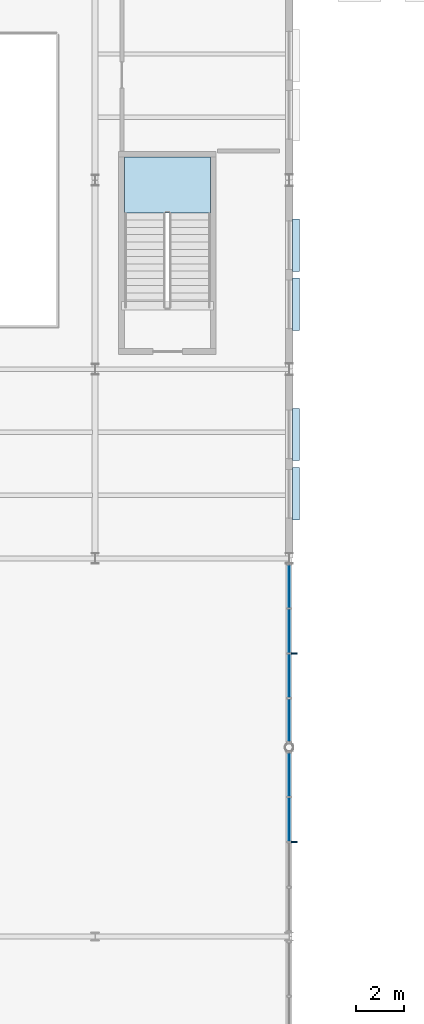
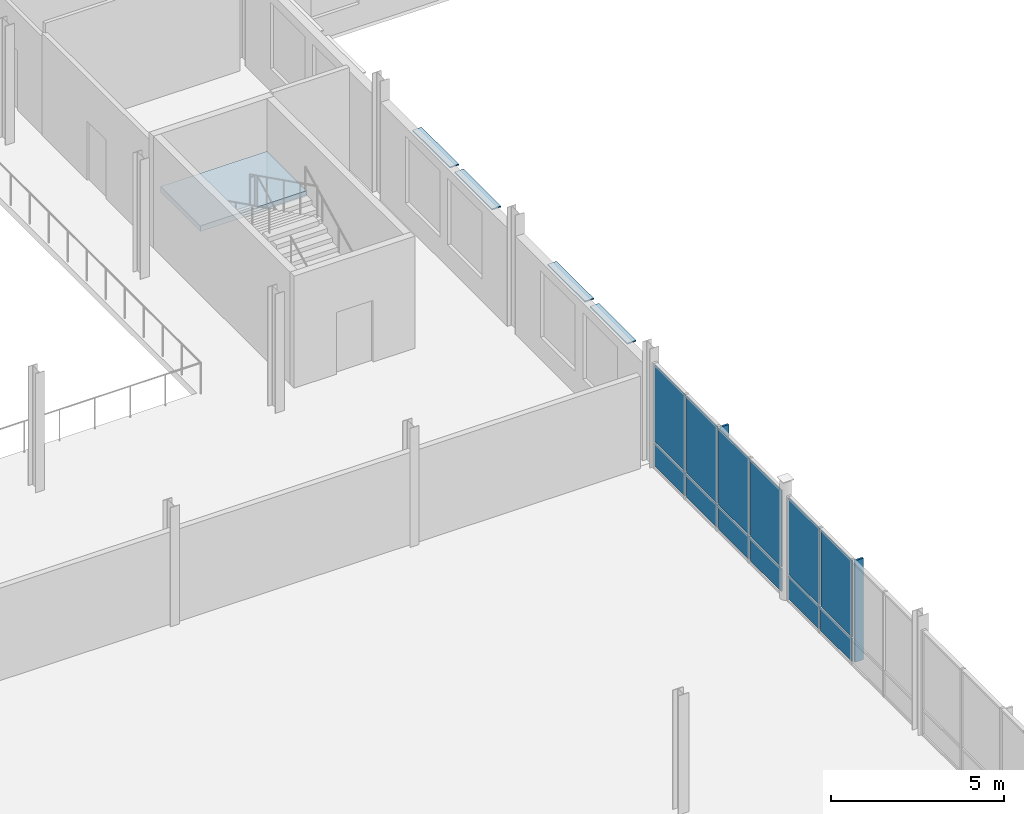
# One storey, part 48 of 75: 18 plates, 1 slab, 3 elements without a shape of their own.
"""IFC4 building model written with IfcOpenShell, lengths in metres."""

from ifc_helpers import new_model, si_unit, direction, frame, origin, origin_2d, place, context, subcontext, project, spatial, polyline, rectangle, outline, extrude, material, layer, layer_set, type_object, element, aggregate, save


model = new_model("IFC4")

# Units and contexts
model_context = context("Model", 3, precision=1e-05, world=origin(), true_north=direction((0.0, 1.0)))
body_context = subcontext(model_context, "Body", "Model", "MODEL_VIEW")
ifc_project = project(units=[si_unit("LENGTHUNIT", "METRE"), si_unit("AREAUNIT", "SQUARE_METRE"), si_unit("VOLUMEUNIT", "CUBIC_METRE"), si_unit("PLANEANGLEUNIT", "RADIAN"), si_unit("MASSUNIT", "GRAM", prefix="KILO")], contexts=[model_context])

# Site, building, storey
site_placement = place(None, origin())
site = spatial("IfcSite", under=ifc_project, at=site_placement, CompositionType="ELEMENT")
building_placement = place(site_placement, origin())
building = spatial("IfcBuilding", under=site, at=building_placement, Name="Yukiwa Park Conservatory and Herbarium", CompositionType="ELEMENT")
storey_placement = place(building_placement, frame((0.0, 0.0, 4.800048828125)))
storey = spatial("IfcBuildingStorey", under=building, at=storey_placement, Name="L01", CompositionType="ELEMENT", Elevation=4.800048828125)

# Curtain wall, plates
ifc_material_1 = material(Name="Triple Low-E Insulated Glass", Category="glass")
ifc_layer_1 = layer(ifc_material_1, 0.18798828125)
ifc_layer_set_1 = layer_set([ifc_layer_1], Name="Triple Low-E Insulated Glass")
curtain_wall_type = type_object("IfcCurtainWallType", Name="CW-CONCOURSE-2000", PredefinedType="NOTDEFINED", material=ifc_layer_set_1)
curtain_wall_1_placement = place(storey_placement, origin())
curtain_wall_1 = element("IfcCurtainWall", 1, at=curtain_wall_1_placement, inside=storey, type_object=curtain_wall_type, Name="L01 unitised curtain wall CW-L01-044", PredefinedType="NOTDEFINED")
ifc_material_2 = material(Name="Triple Low-E Insulated Glass", Category="glass")
ifc_layer_2 = layer(ifc_material_2, 0.035888671875)
ifc_layer_set_2 = layer_set([ifc_layer_2], Name="Triple Low-E Insulated Glass")
plate_type_1 = type_object("IfcPlateType", Name="PL-CW-GLZ-36", PredefinedType="CURTAIN_PANEL", material=ifc_layer_set_2)
plate_1_placement = place(storey_placement, frame((108.0, 36.029541015625, 0.93505859375), z_axis=(0.0, 0.0, 1.0), x_axis=(0.0, 1.0, 0.0)))
plate_1 = element("IfcPlate", 2, at=plate_1_placement, type_object=plate_type_1, Name="CW-L01-044 vision panel 3.2", PredefinedType="CURTAIN_PANEL", context=body_context, shape_type="SweptSolid", body=[
    extrude(rectangle(XDim=1.791748046875, YDim=0.035888671875, at=origin_2d()), origin(), (0.0, 0.0, 1.0), 2.695068359375),
])
plate_2_placement = place(storey_placement, frame((108.0, 37.891357421875, 0.93505859375), z_axis=(0.0, 0.0, 1.0), x_axis=(0.0, 1.0, 0.0)))
plate_2 = element("IfcPlate", 3, at=plate_2_placement, type_object=plate_type_1, Name="CW-L01-044 vision panel 4.2", PredefinedType="CURTAIN_PANEL", context=body_context, shape_type="SweptSolid", body=[
    extrude(rectangle(XDim=1.791748046875, YDim=0.035888671875, at=origin_2d()), origin(), (0.0, 0.0, 1.0), 2.695068359375),
])

curtain_wall_2_placement = place(storey_placement, origin())
curtain_wall_2 = element("IfcCurtainWall", 4, at=curtain_wall_2_placement, inside=storey, type_object=curtain_wall_type, Name="L01 unitised curtain wall CW-L01-045", PredefinedType="NOTDEFINED")
plate_3_placement = place(storey_placement, frame((108.0, 40.10302734375, 0.93505859375), z_axis=(0.0, 0.0, 1.0), x_axis=(0.0, 1.0, 0.0)))
plate_3 = element("IfcPlate", 5, at=plate_3_placement, type_object=plate_type_1, Name="CW-L01-045 vision panel 1.2", PredefinedType="CURTAIN_PANEL", context=body_context, shape_type="SweptSolid", body=[
    extrude(rectangle(XDim=1.780517578125, YDim=0.035888671875, at=origin_2d()), origin(), (0.0, 0.0, 1.0), 2.695068359375),
])
plate_4_placement = place(storey_placement, frame((108.0, 41.95361328125, 0.93505859375), z_axis=(0.0, 0.0, 1.0), x_axis=(0.0, 1.0, 0.0)))
plate_4 = element("IfcPlate", 6, at=plate_4_placement, type_object=plate_type_1, Name="CW-L01-045 vision panel 2.2", PredefinedType="CURTAIN_PANEL", context=body_context, shape_type="SweptSolid", body=[
    extrude(rectangle(XDim=1.780517578125, YDim=0.035888671875, at=origin_2d()), origin(), (0.0, 0.0, 1.0), 2.695068359375),
])
plate_5_placement = place(storey_placement, frame((108.0, 43.80419921875, 0.93505859375), z_axis=(0.0, 0.0, 1.0), x_axis=(0.0, 1.0, 0.0)))
plate_5 = element("IfcPlate", 7, at=plate_5_placement, type_object=plate_type_1, Name="CW-L01-045 vision panel 3.2", PredefinedType="CURTAIN_PANEL", context=body_context, shape_type="SweptSolid", body=[
    extrude(rectangle(XDim=1.780517578125, YDim=0.035888671875, at=origin_2d()), origin(), (0.0, 0.0, 1.0), 2.695068359375),
])
plate_6_placement = place(storey_placement, frame((108.0, 45.65478515625, 0.93505859375), z_axis=(0.0, 0.0, 1.0), x_axis=(0.0, 1.0, 0.0)))
plate_6 = element("IfcPlate", 8, at=plate_6_placement, type_object=plate_type_1, Name="CW-L01-045 vision panel 4.2", PredefinedType="CURTAIN_PANEL", context=body_context, shape_type="SweptSolid", body=[
    extrude(rectangle(XDim=1.780517578125, YDim=0.035888671875, at=origin_2d()), origin(), (0.0, 0.0, 1.0), 2.695068359375),
])

# Plate
ifc_material_3 = material(Name="Anodised Aluminium", Category="aluminium")
ifc_layer_3 = layer(ifc_material_3, 0.044921875)
ifc_layer_set_3 = layer_set([ifc_layer_3], Name="Anodised Aluminium")
plate_type_2 = type_object("IfcPlateType", Name="PL-CW-SPN-45", PredefinedType="CURTAIN_PANEL", material=ifc_layer_set_3)
plate_7_placement = place(storey_placement, frame((108.0, 36.029541015625, 0.070068359375), z_axis=(0.0, 0.0, 1.0), x_axis=(0.0, 1.0, 0.0)))
plate_7 = element("IfcPlate", 9, at=plate_7_placement, type_object=plate_type_2, Name="CW-L01-044 spandrel panel 3.1", PredefinedType="CURTAIN_PANEL", context=body_context, shape_type="SweptSolid", body=[
    extrude(rectangle(XDim=1.791748046875, YDim=0.044921875, at=origin_2d()), origin(), (0.0, 0.0, 1.0), 0.794921875),
])

plate_8_placement = place(storey_placement, frame((108.0, 37.891357421875, 0.070068359375), z_axis=(0.0, 0.0, 1.0), x_axis=(0.0, 1.0, 0.0)))
plate_8 = element("IfcPlate", 10, at=plate_8_placement, type_object=plate_type_2, Name="CW-L01-044 spandrel panel 4.1", PredefinedType="CURTAIN_PANEL", context=body_context, shape_type="SweptSolid", body=[
    extrude(rectangle(XDim=1.791748046875, YDim=0.044921875, at=origin_2d()), origin(), (0.0, 0.0, 1.0), 0.794921875),
])

aggregate(curtain_wall_1, [plate_7, plate_1, plate_8, plate_2])

plate_9_placement = place(storey_placement, frame((108.0, 40.10302734375, 0.070068359375), z_axis=(0.0, 0.0, 1.0), x_axis=(0.0, 1.0, 0.0)))
plate_9 = element("IfcPlate", 11, at=plate_9_placement, type_object=plate_type_2, Name="CW-L01-045 spandrel panel 1.1", PredefinedType="CURTAIN_PANEL", context=body_context, shape_type="SweptSolid", body=[
    extrude(rectangle(XDim=1.780517578125, YDim=0.044921875, at=origin_2d()), origin(), (0.0, 0.0, 1.0), 0.794921875),
])

plate_10_placement = place(storey_placement, frame((108.0, 41.95361328125, 0.070068359375), z_axis=(0.0, 0.0, 1.0), x_axis=(0.0, 1.0, 0.0)))
plate_10 = element("IfcPlate", 12, at=plate_10_placement, type_object=plate_type_2, Name="CW-L01-045 spandrel panel 2.1", PredefinedType="CURTAIN_PANEL", context=body_context, shape_type="SweptSolid", body=[
    extrude(rectangle(XDim=1.780517578125, YDim=0.044921875, at=origin_2d()), origin(), (0.0, 0.0, 1.0), 0.794921875),
])

plate_11_placement = place(storey_placement, frame((108.0, 43.80419921875, 0.070068359375), z_axis=(0.0, 0.0, 1.0), x_axis=(0.0, 1.0, 0.0)))
plate_11 = element("IfcPlate", 13, at=plate_11_placement, type_object=plate_type_2, Name="CW-L01-045 spandrel panel 3.1", PredefinedType="CURTAIN_PANEL", context=body_context, shape_type="SweptSolid", body=[
    extrude(rectangle(XDim=1.780517578125, YDim=0.044921875, at=origin_2d()), origin(), (0.0, 0.0, 1.0), 0.794921875),
])

plate_12_placement = place(storey_placement, frame((108.0, 45.65478515625, 0.070068359375), z_axis=(0.0, 0.0, 1.0), x_axis=(0.0, 1.0, 0.0)))
plate_12 = element("IfcPlate", 14, at=plate_12_placement, type_object=plate_type_2, Name="CW-L01-045 spandrel panel 4.1", PredefinedType="CURTAIN_PANEL", context=body_context, shape_type="SweptSolid", body=[
    extrude(rectangle(XDim=1.780517578125, YDim=0.044921875, at=origin_2d()), origin(), (0.0, 0.0, 1.0), 0.794921875),
])

aggregate(curtain_wall_2, [plate_9, plate_3, plate_10, plate_4, plate_11, plate_5, plate_12, plate_6])

# Plates
ifc_material_4 = material(Name="Charred Larch Cladding", Category="wood")
ifc_layer_4 = layer(ifc_material_4, 0.06494140625)
ifc_layer_set_4 = layer_set([ifc_layer_4], Name="Charred Larch Cladding")
plate_type_3 = type_object("IfcPlateType", Name="PL-FIN-LARCH-65", PredefinedType="USERDEFINED", material=ifc_layer_set_4)
for number, where, z_axis, x_axis, name in (
    (15, (108.18994140625, 35.0986328125, 0.059814453125), (0.0, 0.0, 1.0), (0.0, 1.0, 0.0), "CW-L01-044 exterior vertical shading fin"),
    (16, (108.18994140625, 42.87890625, 0.059814453125), (0.0, 0.0, 1.0), (0.0, 1.0, 0.0), "CW-L01-045 exterior vertical shading fin"),
):
    element("IfcPlate", number, at=place(storey_placement, frame(where, z_axis=z_axis, x_axis=x_axis)), inside=storey, type_object=plate_type_3, Name=name, ObjectType="SHADING FIN", PredefinedType="USERDEFINED", context=body_context, shape_type="SweptSolid", body=[
        extrude(rectangle(XDim=0.06494140625, YDim=0.280029296875, at=origin_2d()), origin(), (0.0, 0.0, 1.0), 3.580078125),
    ])
ifc_material_5 = material(Name="Anodised Aluminium", Category="aluminium")
ifc_layer_5 = layer(ifc_material_5, 0.0400390625)
ifc_layer_set_5 = layer_set([ifc_layer_5], Name="Anodised Aluminium")
plate_type_4 = type_object("IfcPlateType", Name="PL-SHADE-ALU-40", PredefinedType="SHEET", material=ifc_layer_set_5)
for number, where, z_axis, x_axis, name in (
    (17, (108.284912109375, 49.465087890625, 3.169921875), (0.0, 0.0, 1.0), (0.0, 1.0, 0.0), "L01 snow-shedding window hood 26"),
    (18, (108.284912109375, 51.910888671875, 3.169921875), (0.0, 0.0, 1.0), (0.0, 1.0, 0.0), "L01 snow-shedding window hood 27"),
    (19, (108.284912109375, 57.281005859375, 3.169921875), (0.0, 0.0, 1.0), (0.0, 1.0, 0.0), "L01 snow-shedding window hood 28"),
    (20, (108.284912109375, 59.718994140625, 3.169921875), (0.0, 0.0, 1.0), (0.0, 1.0, 0.0), "L01 snow-shedding window hood 29"),
):
    element("IfcPlate", number, at=place(storey_placement, frame(where, z_axis=z_axis, x_axis=x_axis)), inside=storey, type_object=plate_type_4, Name=name, PredefinedType="SHEET", context=body_context, shape_type="SweptSolid", body=[
        extrude(rectangle(XDim=2.159912109375, YDim=0.300048828125, at=origin_2d()), origin(), (0.0, 0.0, 1.0), 0.0400390625),
    ])

# Stair, slab
ifc_material_6 = material(Name="Concrete C40", Category="concrete")
stair_type = type_object("IfcStairType", Name="ST-DOGLEG-ST-V2", PredefinedType="HALF_TURN_STAIR", material=ifc_material_6)
stair_placement = place(storey_placement, origin())
stair = element("IfcStair", 21, at=stair_placement, inside=storey, type_object=stair_type, Name="L01 Visitor East Exit Stair ST-V2", PredefinedType="HALF_TURN_STAIR")
ifc_material_7 = material(Name="Concrete C40", Category="concrete")
ifc_layer_6 = layer(ifc_material_7, 0.199951171875)
ifc_layer_set_6 = layer_set([ifc_layer_6], Name="Concrete C40")
slab_type = type_object("IfcSlabType", Name="SL-LANDING-220", PredefinedType="LANDING", material=ifc_layer_set_6)
slab_placement = place(storey_placement, frame((0.0, 0.0, 1.89990234375)))
slab = element("IfcSlab", 22, at=slab_placement, type_object=slab_type, Name="ST-V2 landing 1", PredefinedType="LANDING", context=body_context, shape_type="SweptSolid", body=[
    extrude(outline(polyline([(104.75, 61.050048828125), (104.75, 63.35009765625), (101.199951171875, 63.35009765625), (101.199951171875, 61.050048828125), (104.75, 61.050048828125)])), origin(), (0.0, 0.0, 1.0), 0.199951171875),
])
aggregate(stair, [slab])

save(model, "model.ifc")
